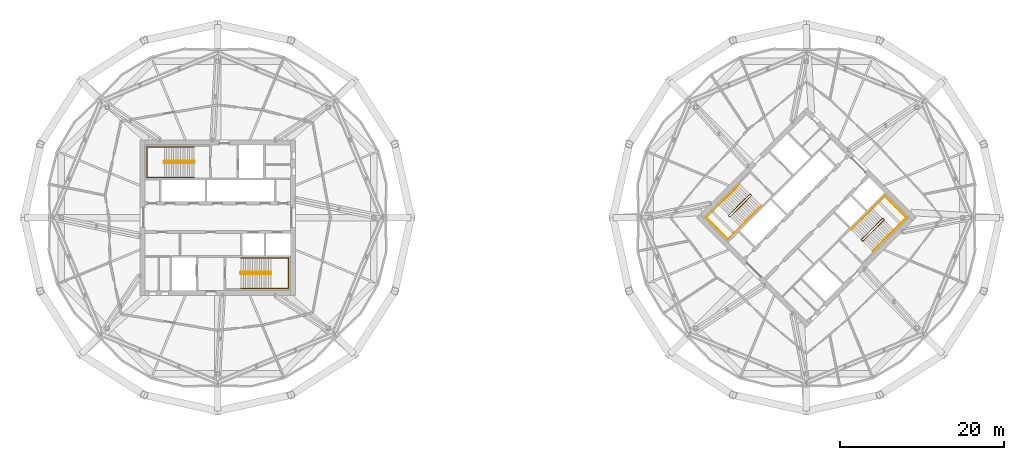
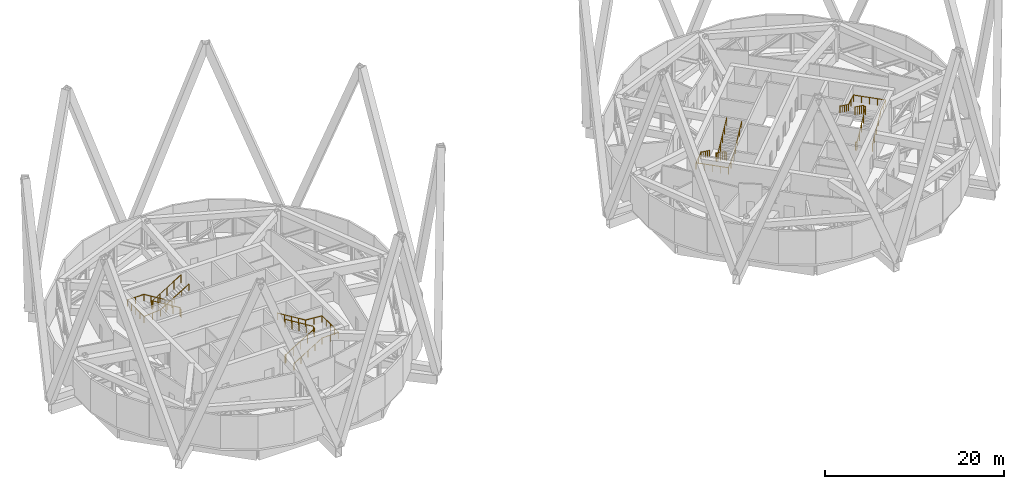
# One storey, part 19 of 19: 8 railings.
"""IFC4 building model written with IfcOpenShell, lengths in metres."""

from ifc_helpers import new_model, si_unit, direction, frame, origin, origin_2d, place, context, subcontext, project, spatial, circle, extrude, material, type_object, element, save


model = new_model("IFC4")

# Units and contexts
model_context = context("Model", 3, precision=1e-05, world=origin(), true_north=direction((0.0, 1.0)))
body_context = subcontext(model_context, "Body", "Model", "MODEL_VIEW")
ifc_project = project(units=[si_unit("LENGTHUNIT", "METRE"), si_unit("AREAUNIT", "SQUARE_METRE"), si_unit("VOLUMEUNIT", "CUBIC_METRE"), si_unit("PLANEANGLEUNIT", "RADIAN"), si_unit("MASSUNIT", "GRAM", prefix="KILO")], contexts=[model_context])

# Site, building, storey
site_placement = place(None, origin())
site = spatial("IfcSite", under=ifc_project, at=site_placement, CompositionType="ELEMENT")
building_placement = place(site_placement, origin())
building = spatial("IfcBuilding", under=site, at=building_placement, Name="Ogive Gate Towers", CompositionType="ELEMENT")
storey_placement = place(building_placement, frame((0.0, 0.0, 216.300048828125)))
storey = spatial("IfcBuildingStorey", under=building, at=storey_placement, Name="L52", CompositionType="ELEMENT", Elevation=216.300048828125)

# Railings
ifc_material = material(Name="Stainless steel", Category="steel")
railing_type_1 = type_object("IfcRailingType", Name="Stair guard 1100", PredefinedType="GUARDRAIL", material=ifc_material)
railing_1_placement = place(storey_placement, frame((-38.81494140625, 6.860107421875, 0.0)))
element("IfcRailing", 1, at=railing_1_placement, inside=storey, type_object=railing_type_1, Name="L52 ST1 stair guard 1", PredefinedType="GUARDRAIL", context=body_context, shape_type="SweptSolid", body=[
    extrude(circle(Radius=0.02392578125, at=origin_2d()), frame((0.0, 0.0, 1.076171875), z_axis=(0.0, -1.0, 0.0), x_axis=(1.0, 0.0, 0.0)), (0.0, 0.0, 1.0), 0.14501953125),
    extrude(circle(Radius=0.02392578125, at=origin_2d()), frame((0.0, -0.14501953125, 1.076171875), z_axis=(-0.189390444499, 0.737236949804, 0.648546790429), x_axis=(-0.968551454522, -0.24881334358, 0.0)), (0.0, 0.0, 1.0), 0.26416015625),
    extrude(circle(Radius=0.02392578125, at=origin_2d()), frame((-0.050048828125, 0.0498046875, 1.24755859375), z_axis=(-0.852850264322, 0.0, 0.5221555579), x_axis=(0.0, -1.0, 0.0)), (0.0, 0.0, 1.0), 4.267822265625),
    extrude(circle(Radius=0.02392578125, at=origin_2d()), frame((-3.68994140625, 0.0498046875, 3.47607421875), z_axis=(-0.708833529934, -0.705375805398, 0.0), x_axis=(0.705375805398, -0.708833529934, 0.0)), (0.0, 0.0, 1.0), 0.070556640625),
    extrude(circle(Radius=0.02392578125, at=origin_2d()), frame((-3.739990234375, 0.0, 3.47607421875), z_axis=(0.0, -1.0, 0.0), x_axis=(1.0, 0.0, 0.0)), (0.0, 0.0, 1.0), 0.14501953125),
    extrude(circle(Radius=0.02392578125, at=origin_2d()), frame((-3.739990234375, -0.14501953125, 3.47607421875), z_axis=(0.269911200495, -0.269911200495, 0.924281281696), x_axis=(0.707106781187, 0.707106781187, 0.0)), (0.0, 0.0, 1.0), 0.185546875),
    extrude(circle(Radius=0.02392578125, at=origin_2d()), frame((-3.68994140625, -0.195068359375, 3.6474609375), z_axis=(0.852824790078, 0.0, 0.522197163366), x_axis=(0.0, 1.0, 0.0)), (0.0, 0.0, 1.0), 4.26806640625),
    extrude(circle(Radius=0.02099609375, at=origin_2d()), origin(), (0.0, 0.0, 1.0), 1.052001953125),
    extrude(circle(Radius=0.02099609375, at=origin_2d()), frame((0.0, -0.14501953125, 0.0)), (0.0, 0.0, 1.0), 1.052001953125),
    extrude(circle(Radius=0.02099609375, at=origin_2d()), frame((-0.050048828125, 0.0498046875, 0.17138671875)), (0.0, 0.0, 1.0), 1.052001953125),
    extrude(circle(Radius=0.02099609375, at=origin_2d()), frame((-0.9599609375, 0.0498046875, 0.728515625)), (0.0, 0.0, 1.0), 1.052001953125),
    extrude(circle(Radius=0.02099609375, at=origin_2d()), frame((-1.8701171875, 0.0498046875, 1.28564453125)), (0.0, 0.0, 1.0), 1.052001953125),
    extrude(circle(Radius=0.02099609375, at=origin_2d()), frame((-2.780029296875, 0.0498046875, 1.8427734375)), (0.0, 0.0, 1.0), 1.052001953125),
    extrude(circle(Radius=0.02099609375, at=origin_2d()), frame((-3.68994140625, 0.0498046875, 2.39990234375)), (0.0, 0.0, 1.0), 1.052001953125),
    extrude(circle(Radius=0.02099609375, at=origin_2d()), frame((-3.739990234375, 0.0, 2.39990234375)), (0.0, 0.0, 1.0), 1.052001953125),
    extrude(circle(Radius=0.02099609375, at=origin_2d()), frame((-3.739990234375, -0.14501953125, 2.39990234375)), (0.0, 0.0, 1.0), 1.052001953125),
    extrude(circle(Radius=0.02099609375, at=origin_2d()), frame((-3.68994140625, -0.195068359375, 2.5712890625)), (0.0, 0.0, 1.0), 1.052001953125),
    extrude(circle(Radius=0.02099609375, at=origin_2d()), frame((-2.780029296875, -0.195068359375, 3.12841796875)), (0.0, 0.0, 1.0), 1.052001953125),
    extrude(circle(Radius=0.02099609375, at=origin_2d()), frame((-1.8701171875, -0.195068359375, 3.685546875)), (0.0, 0.0, 1.0), 1.052001953125),
    extrude(circle(Radius=0.02099609375, at=origin_2d()), frame((-0.9599609375, -0.195068359375, 4.242919921875)), (0.0, 0.0, 1.0), 1.052001953125),
    extrude(circle(Radius=0.02099609375, at=origin_2d()), frame((-0.050048828125, -0.195068359375, 4.800048828125)), (0.0, 0.0, 1.0), 1.052001953125),
])
railing_2_placement = place(storey_placement, frame((-33.18505859375, -6.860107421875, 0.0)))
element("IfcRailing", 2, at=railing_2_placement, inside=storey, type_object=railing_type_1, Name="L52 ST2 stair guard 1", PredefinedType="GUARDRAIL", context=body_context, shape_type="SweptSolid", body=[
    extrude(circle(Radius=0.02392578125, at=origin_2d()), frame((0.0, 0.0, 1.076171875), z_axis=(0.0, 1.0, 0.0), x_axis=(-1.0, 0.0, 0.0)), (0.0, 0.0, 1.0), 0.14501953125),
    extrude(circle(Radius=0.02392578125, at=origin_2d()), frame((0.0, 0.14501953125, 1.076171875), z_axis=(0.189390444499, -0.737236949804, 0.648546790429), x_axis=(0.968551454522, 0.24881334358, 0.0)), (0.0, 0.0, 1.0), 0.26416015625),
    extrude(circle(Radius=0.02392578125, at=origin_2d()), frame((0.050048828125, -0.0498046875, 1.24755859375), z_axis=(0.852850264322, 0.0, 0.5221555579), x_axis=(0.0, 1.0, 0.0)), (0.0, 0.0, 1.0), 4.267822265625),
    extrude(circle(Radius=0.02392578125, at=origin_2d()), frame((3.68994140625, -0.0498046875, 3.47607421875), z_axis=(0.708833529934, 0.705375805398, 0.0), x_axis=(-0.705375805398, 0.708833529934, 0.0)), (0.0, 0.0, 1.0), 0.070556640625),
    extrude(circle(Radius=0.02392578125, at=origin_2d()), frame((3.739990234375, 0.0, 3.47607421875), z_axis=(0.0, 1.0, 0.0), x_axis=(-1.0, 0.0, 0.0)), (0.0, 0.0, 1.0), 0.14501953125),
    extrude(circle(Radius=0.02392578125, at=origin_2d()), frame((3.739990234375, 0.14501953125, 3.47607421875), z_axis=(-0.269911200495, 0.269911200495, 0.924281281696), x_axis=(-0.707106781187, -0.707106781187, 0.0)), (0.0, 0.0, 1.0), 0.185546875),
    extrude(circle(Radius=0.02392578125, at=origin_2d()), frame((3.68994140625, 0.195068359375, 3.6474609375), z_axis=(-0.852824790078, 0.0, 0.522197163366), x_axis=(0.0, -1.0, 0.0)), (0.0, 0.0, 1.0), 4.26806640625),
    extrude(circle(Radius=0.02099609375, at=origin_2d()), origin(), (0.0, 0.0, 1.0), 1.052001953125),
    extrude(circle(Radius=0.02099609375, at=origin_2d()), frame((0.0, 0.14501953125, 0.0)), (0.0, 0.0, 1.0), 1.052001953125),
    extrude(circle(Radius=0.02099609375, at=origin_2d()), frame((0.050048828125, -0.0498046875, 0.17138671875)), (0.0, 0.0, 1.0), 1.052001953125),
    extrude(circle(Radius=0.02099609375, at=origin_2d()), frame((0.9599609375, -0.0498046875, 0.728515625)), (0.0, 0.0, 1.0), 1.052001953125),
    extrude(circle(Radius=0.02099609375, at=origin_2d()), frame((1.8701171875, -0.0498046875, 1.28564453125)), (0.0, 0.0, 1.0), 1.052001953125),
    extrude(circle(Radius=0.02099609375, at=origin_2d()), frame((2.780029296875, -0.0498046875, 1.8427734375)), (0.0, 0.0, 1.0), 1.052001953125),
    extrude(circle(Radius=0.02099609375, at=origin_2d()), frame((3.68994140625, -0.0498046875, 2.39990234375)), (0.0, 0.0, 1.0), 1.052001953125),
    extrude(circle(Radius=0.02099609375, at=origin_2d()), frame((3.739990234375, 0.0, 2.39990234375)), (0.0, 0.0, 1.0), 1.052001953125),
    extrude(circle(Radius=0.02099609375, at=origin_2d()), frame((3.739990234375, 0.14501953125, 2.39990234375)), (0.0, 0.0, 1.0), 1.052001953125),
    extrude(circle(Radius=0.02099609375, at=origin_2d()), frame((3.68994140625, 0.195068359375, 2.5712890625)), (0.0, 0.0, 1.0), 1.052001953125),
    extrude(circle(Radius=0.02099609375, at=origin_2d()), frame((2.780029296875, 0.195068359375, 3.12841796875)), (0.0, 0.0, 1.0), 1.052001953125),
    extrude(circle(Radius=0.02099609375, at=origin_2d()), frame((1.8701171875, 0.195068359375, 3.685546875)), (0.0, 0.0, 1.0), 1.052001953125),
    extrude(circle(Radius=0.02099609375, at=origin_2d()), frame((0.9599609375, 0.195068359375, 4.242919921875)), (0.0, 0.0, 1.0), 1.052001953125),
    extrude(circle(Radius=0.02099609375, at=origin_2d()), frame((0.050048828125, 0.195068359375, 4.800048828125)), (0.0, 0.0, 1.0), 1.052001953125),
])
railing_3_placement = place(storey_placement, frame((29.15869140625, 2.8603515625, 0.0)))
element("IfcRailing", 3, at=railing_3_placement, inside=storey, type_object=railing_type_1, Name="L52 ST1 stair guard 1", PredefinedType="GUARDRAIL", context=body_context, shape_type="SweptSolid", body=[
    extrude(circle(Radius=0.02392578125, at=origin_2d()), frame((0.0, 0.0, 1.076171875), z_axis=(0.707106781187, -0.707106781187, 0.0), x_axis=(0.707106781187, 0.707106781187, 0.0)), (0.0, 0.0, 1.0), 0.14501953125),
    extrude(circle(Radius=0.02392578125, at=origin_2d()), frame((0.1025390625, -0.1025390625, 1.076171875), z_axis=(-0.65494335095, 0.387977725527, 0.648477055524), x_axis=(-0.509669330572, -0.860370369942, 0.0)), (0.0, 0.0, 1.0), 0.264404296875),
    extrude(circle(Radius=0.02392578125, at=origin_2d()), frame((-0.070556640625, 0.0, 1.24755859375), z_axis=(-0.603067823642, -0.603067823642, 0.522128719929), x_axis=(0.707106781187, -0.707106781187, 0.0)), (0.0, 0.0, 1.0), 4.26806640625),
    extrude(circle(Radius=0.02392578125, at=origin_2d()), frame((-2.64453125, -2.573974609375, 3.47607421875), z_axis=(0.0, -1.0, 0.0), x_axis=(1.0, 0.0, 0.0)), (0.0, 0.0, 1.0), 0.07080078125),
    extrude(circle(Radius=0.02392578125, at=origin_2d()), frame((-2.64453125, -2.644775390625, 3.47607421875), z_axis=(0.707106781187, -0.707106781187, 0.0), x_axis=(0.707106781187, 0.707106781187, 0.0)), (0.0, 0.0, 1.0), 0.14501953125),
    extrude(circle(Radius=0.02392578125, at=origin_2d()), frame((-2.5419921875, -2.747314453125, 3.47607421875), z_axis=(0.381809054019, 0.0, 0.924241227315), x_axis=(0.0, 1.0, 0.0)), (0.0, 0.0, 1.0), 0.185546875),
    extrude(circle(Radius=0.02392578125, at=origin_2d()), frame((-2.47119140625, -2.747314453125, 3.6474609375), z_axis=(0.603013412715, 0.60307061376, 0.522188336623), x_axis=(-0.707140316402, 0.707073244381, 0.0)), (0.0, 0.0, 1.0), 4.26806640625),
    extrude(circle(Radius=0.02099609375, at=origin_2d()), origin(), (0.0, 0.0, 1.0), 1.052001953125),
    extrude(circle(Radius=0.02099609375, at=origin_2d()), frame((0.1025390625, -0.1025390625, 0.0)), (0.0, 0.0, 1.0), 1.052001953125),
    extrude(circle(Radius=0.02099609375, at=origin_2d()), frame((-0.070556640625, 0.0, 0.17138671875)), (0.0, 0.0, 1.0), 1.052001953125),
    extrude(circle(Radius=0.02099609375, at=origin_2d()), frame((-0.714111328125, -0.6435546875, 0.728515625)), (0.0, 0.0, 1.0), 1.052001953125),
    extrude(circle(Radius=0.02099609375, at=origin_2d()), frame((-1.357421875, -1.287109375, 1.28564453125)), (0.0, 0.0, 1.0), 1.052001953125),
    extrude(circle(Radius=0.02099609375, at=origin_2d()), frame((-2.0009765625, -1.930419921875, 1.8427734375)), (0.0, 0.0, 1.0), 1.052001953125),
    extrude(circle(Radius=0.02099609375, at=origin_2d()), frame((-2.64453125, -2.573974609375, 2.39990234375)), (0.0, 0.0, 1.0), 1.052001953125),
    extrude(circle(Radius=0.02099609375, at=origin_2d()), frame((-2.64453125, -2.644775390625, 2.39990234375)), (0.0, 0.0, 1.0), 1.052001953125),
    extrude(circle(Radius=0.02099609375, at=origin_2d()), frame((-2.5419921875, -2.747314453125, 2.39990234375)), (0.0, 0.0, 1.0), 1.052001953125),
    extrude(circle(Radius=0.02099609375, at=origin_2d()), frame((-2.47119140625, -2.747314453125, 2.5712890625)), (0.0, 0.0, 1.0), 1.052001953125),
    extrude(circle(Radius=0.02099609375, at=origin_2d()), frame((-1.82763671875, -2.103759765625, 3.12841796875)), (0.0, 0.0, 1.0), 1.052001953125),
    extrude(circle(Radius=0.02099609375, at=origin_2d()), frame((-1.184326171875, -1.46044921875, 3.685546875)), (0.0, 0.0, 1.0), 1.052001953125),
    extrude(circle(Radius=0.02099609375, at=origin_2d()), frame((-0.541015625, -0.81689453125, 4.242919921875)), (0.0, 0.0, 1.0), 1.052001953125),
    extrude(circle(Radius=0.02099609375, at=origin_2d()), frame((0.1025390625, -0.17333984375, 4.800048828125)), (0.0, 0.0, 1.0), 1.052001953125),
])
railing_4_placement = place(storey_placement, frame((42.84130859375, -2.8603515625, 0.0)))
element("IfcRailing", 4, at=railing_4_placement, inside=storey, type_object=railing_type_1, Name="L52 ST2 stair guard 1", PredefinedType="GUARDRAIL", context=body_context, shape_type="SweptSolid", body=[
    extrude(circle(Radius=0.02392578125, at=origin_2d()), frame((0.0, 0.0, 1.076171875), z_axis=(-0.707106781187, 0.707106781187, 0.0), x_axis=(-0.707106781187, -0.707106781187, 0.0)), (0.0, 0.0, 1.0), 0.14501953125),
    extrude(circle(Radius=0.02392578125, at=origin_2d()), frame((-0.1025390625, 0.1025390625, 1.076171875), z_axis=(0.65494335095, -0.387977725527, 0.648477055524), x_axis=(0.509669330572, 0.860370369942, 0.0)), (0.0, 0.0, 1.0), 0.264404296875),
    extrude(circle(Radius=0.02392578125, at=origin_2d()), frame((0.070556640625, 0.0, 1.24755859375), z_axis=(0.603067823642, 0.603067823642, 0.522128719929), x_axis=(-0.707106781187, 0.707106781187, 0.0)), (0.0, 0.0, 1.0), 4.26806640625),
    extrude(circle(Radius=0.02392578125, at=origin_2d()), frame((2.64453125, 2.573974609375, 3.47607421875), z_axis=(0.0, 1.0, 0.0), x_axis=(-1.0, 0.0, 0.0)), (0.0, 0.0, 1.0), 0.07080078125),
    extrude(circle(Radius=0.02392578125, at=origin_2d()), frame((2.64453125, 2.644775390625, 3.47607421875), z_axis=(-0.707106781187, 0.707106781187, 0.0), x_axis=(-0.707106781187, -0.707106781187, 0.0)), (0.0, 0.0, 1.0), 0.14501953125),
    extrude(circle(Radius=0.02392578125, at=origin_2d()), frame((2.5419921875, 2.747314453125, 3.47607421875), z_axis=(-0.381809054019, 0.0, 0.924241227315), x_axis=(0.0, -1.0, 0.0)), (0.0, 0.0, 1.0), 0.185546875),
    extrude(circle(Radius=0.02392578125, at=origin_2d()), frame((2.47119140625, 2.747314453125, 3.6474609375), z_axis=(-0.603013412715, -0.60307061376, 0.522188336623), x_axis=(0.707140316402, -0.707073244381, 0.0)), (0.0, 0.0, 1.0), 4.26806640625),
    extrude(circle(Radius=0.02099609375, at=origin_2d()), origin(), (0.0, 0.0, 1.0), 1.052001953125),
    extrude(circle(Radius=0.02099609375, at=origin_2d()), frame((-0.1025390625, 0.1025390625, 0.0)), (0.0, 0.0, 1.0), 1.052001953125),
    extrude(circle(Radius=0.02099609375, at=origin_2d()), frame((0.070556640625, 0.0, 0.17138671875)), (0.0, 0.0, 1.0), 1.052001953125),
    extrude(circle(Radius=0.02099609375, at=origin_2d()), frame((0.714111328125, 0.6435546875, 0.728515625)), (0.0, 0.0, 1.0), 1.052001953125),
    extrude(circle(Radius=0.02099609375, at=origin_2d()), frame((1.357421875, 1.287109375, 1.28564453125)), (0.0, 0.0, 1.0), 1.052001953125),
    extrude(circle(Radius=0.02099609375, at=origin_2d()), frame((2.0009765625, 1.930419921875, 1.8427734375)), (0.0, 0.0, 1.0), 1.052001953125),
    extrude(circle(Radius=0.02099609375, at=origin_2d()), frame((2.64453125, 2.573974609375, 2.39990234375)), (0.0, 0.0, 1.0), 1.052001953125),
    extrude(circle(Radius=0.02099609375, at=origin_2d()), frame((2.64453125, 2.644775390625, 2.39990234375)), (0.0, 0.0, 1.0), 1.052001953125),
    extrude(circle(Radius=0.02099609375, at=origin_2d()), frame((2.5419921875, 2.747314453125, 2.39990234375)), (0.0, 0.0, 1.0), 1.052001953125),
    extrude(circle(Radius=0.02099609375, at=origin_2d()), frame((2.47119140625, 2.747314453125, 2.5712890625)), (0.0, 0.0, 1.0), 1.052001953125),
    extrude(circle(Radius=0.02099609375, at=origin_2d()), frame((1.82763671875, 2.103759765625, 3.12841796875)), (0.0, 0.0, 1.0), 1.052001953125),
    extrude(circle(Radius=0.02099609375, at=origin_2d()), frame((1.184326171875, 1.46044921875, 3.685546875)), (0.0, 0.0, 1.0), 1.052001953125),
    extrude(circle(Radius=0.02099609375, at=origin_2d()), frame((0.541015625, 0.81689453125, 4.242919921875)), (0.0, 0.0, 1.0), 1.052001953125),
    extrude(circle(Radius=0.02099609375, at=origin_2d()), frame((-0.1025390625, 0.17333984375, 4.800048828125)), (0.0, 0.0, 1.0), 1.052001953125),
])
railing_type_2 = type_object("IfcRailingType", Name="Stair handrail 900", PredefinedType="HANDRAIL", material=ifc_material)
railing_5_placement = place(storey_placement, frame((-38.864990234375, 8.64990234375, 0.17138671875)))
element("IfcRailing", 5, at=railing_5_placement, inside=storey, type_object=railing_type_2, Name="L52 ST1 stair handrail 1", PredefinedType="HANDRAIL", context=body_context, shape_type="SweptSolid", body=[
    extrude(circle(Radius=0.02392578125, at=origin_2d()), frame((0.0, 0.0, 0.8759765625), z_axis=(-0.852850264322, 0.0, 0.5221555579), x_axis=(0.0, -1.0, 0.0)), (0.0, 0.0, 1.0), 4.267822265625),
    extrude(circle(Radius=0.02392578125, at=origin_2d()), frame((-3.639892578125, 0.0, 3.1044921875), z_axis=(-1.0, 0.0, 0.0), x_axis=(0.0, -1.0, 0.0)), (0.0, 0.0, 1.0), 2.14501953125),
    extrude(circle(Radius=0.02392578125, at=origin_2d()), frame((-5.784912109375, 0.0, 3.1044921875), z_axis=(0.0, -1.0, 0.0), x_axis=(1.0, 0.0, 0.0)), (0.0, 0.0, 1.0), 3.724853515625),
    extrude(circle(Radius=0.02392578125, at=origin_2d()), frame((-5.784912109375, -3.724853515625, 3.1044921875), z_axis=(0.996823210099, 0.0, 0.079646015649), x_axis=(0.0, 1.0, 0.0)), (0.0, 0.0, 1.0), 2.15185546875),
    extrude(circle(Radius=0.02392578125, at=origin_2d()), frame((-3.639892578125, -3.724853515625, 3.27587890625), z_axis=(0.852824790078, 0.0, 0.522197163366), x_axis=(0.0, 1.0, 0.0)), (0.0, 0.0, 1.0), 4.26806640625),
    extrude(circle(Radius=0.02099609375, at=origin_2d()), origin(), (0.0, 0.0, 1.0), 0.851806640625),
    extrude(circle(Radius=0.02099609375, at=origin_2d()), frame((-0.909912109375, 0.0, 0.55712890625)), (0.0, 0.0, 1.0), 0.851806640625),
    extrude(circle(Radius=0.02099609375, at=origin_2d()), frame((-1.81982421875, 0.0, 1.1142578125)), (0.0, 0.0, 1.0), 0.851806640625),
    extrude(circle(Radius=0.02099609375, at=origin_2d()), frame((-2.72998046875, 0.0, 1.67138671875)), (0.0, 0.0, 1.0), 0.851806640625),
    extrude(circle(Radius=0.02099609375, at=origin_2d()), frame((-3.639892578125, 0.0, 2.228515625)), (0.0, 0.0, 1.0), 0.851806640625),
    extrude(circle(Radius=0.02099609375, at=origin_2d()), frame((-4.71240234375, 0.0, 2.228515625)), (0.0, 0.0, 1.0), 0.851806640625),
    extrude(circle(Radius=0.02099609375, at=origin_2d()), frame((-5.784912109375, 0.0, 2.228515625)), (0.0, 0.0, 1.0), 0.851806640625),
    extrude(circle(Radius=0.02099609375, at=origin_2d()), frame((-5.784912109375, -0.93115234375, 2.228515625)), (0.0, 0.0, 1.0), 0.851806640625),
    extrude(circle(Radius=0.02099609375, at=origin_2d()), frame((-5.784912109375, -1.8623046875, 2.228515625)), (0.0, 0.0, 1.0), 0.851806640625),
    extrude(circle(Radius=0.02099609375, at=origin_2d()), frame((-5.784912109375, -2.793701171875, 2.228515625)), (0.0, 0.0, 1.0), 0.851806640625),
    extrude(circle(Radius=0.02099609375, at=origin_2d()), frame((-5.784912109375, -3.724853515625, 2.228515625)), (0.0, 0.0, 1.0), 0.851806640625),
    extrude(circle(Radius=0.02099609375, at=origin_2d()), frame((-4.71240234375, -3.724853515625, 2.314208984375)), (0.0, 0.0, 1.0), 0.851806640625),
    extrude(circle(Radius=0.02099609375, at=origin_2d()), frame((-3.639892578125, -3.724853515625, 2.39990234375)), (0.0, 0.0, 1.0), 0.851806640625),
    extrude(circle(Radius=0.02099609375, at=origin_2d()), frame((-2.72998046875, -3.724853515625, 2.95703125)), (0.0, 0.0, 1.0), 0.851806640625),
    extrude(circle(Radius=0.02099609375, at=origin_2d()), frame((-1.81982421875, -3.724853515625, 3.51416015625)), (0.0, 0.0, 1.0), 0.851806640625),
    extrude(circle(Radius=0.02099609375, at=origin_2d()), frame((-0.909912109375, -3.724853515625, 4.071533203125)), (0.0, 0.0, 1.0), 0.851806640625),
    extrude(circle(Radius=0.02099609375, at=origin_2d()), frame((0.0, -3.724853515625, 4.628662109375)), (0.0, 0.0, 1.0), 0.851806640625),
])
railing_6_placement = place(storey_placement, frame((-33.135009765625, -8.64990234375, 0.17138671875)))
element("IfcRailing", 6, at=railing_6_placement, inside=storey, type_object=railing_type_2, Name="L52 ST2 stair handrail 1", PredefinedType="HANDRAIL", context=body_context, shape_type="SweptSolid", body=[
    extrude(circle(Radius=0.02392578125, at=origin_2d()), frame((0.0, 0.0, 0.8759765625), z_axis=(0.852850264322, 0.0, 0.5221555579), x_axis=(0.0, 1.0, 0.0)), (0.0, 0.0, 1.0), 4.267822265625),
    extrude(circle(Radius=0.02392578125, at=origin_2d()), frame((3.639892578125, 0.0, 3.1044921875), z_axis=(1.0, 0.0, 0.0), x_axis=(0.0, 1.0, 0.0)), (0.0, 0.0, 1.0), 2.14501953125),
    extrude(circle(Radius=0.02392578125, at=origin_2d()), frame((5.784912109375, 0.0, 3.1044921875), z_axis=(0.0, 1.0, 0.0), x_axis=(-1.0, 0.0, 0.0)), (0.0, 0.0, 1.0), 3.724853515625),
    extrude(circle(Radius=0.02392578125, at=origin_2d()), frame((5.784912109375, 3.724853515625, 3.1044921875), z_axis=(-0.996823210099, 0.0, 0.079646015649), x_axis=(0.0, -1.0, 0.0)), (0.0, 0.0, 1.0), 2.15185546875),
    extrude(circle(Radius=0.02392578125, at=origin_2d()), frame((3.639892578125, 3.724853515625, 3.27587890625), z_axis=(-0.852824790078, 0.0, 0.522197163366), x_axis=(0.0, -1.0, 0.0)), (0.0, 0.0, 1.0), 4.26806640625),
    extrude(circle(Radius=0.02099609375, at=origin_2d()), origin(), (0.0, 0.0, 1.0), 0.851806640625),
    extrude(circle(Radius=0.02099609375, at=origin_2d()), frame((0.909912109375, 0.0, 0.55712890625)), (0.0, 0.0, 1.0), 0.851806640625),
    extrude(circle(Radius=0.02099609375, at=origin_2d()), frame((1.81982421875, 0.0, 1.1142578125)), (0.0, 0.0, 1.0), 0.851806640625),
    extrude(circle(Radius=0.02099609375, at=origin_2d()), frame((2.72998046875, 0.0, 1.67138671875)), (0.0, 0.0, 1.0), 0.851806640625),
    extrude(circle(Radius=0.02099609375, at=origin_2d()), frame((3.639892578125, 0.0, 2.228515625)), (0.0, 0.0, 1.0), 0.851806640625),
    extrude(circle(Radius=0.02099609375, at=origin_2d()), frame((4.71240234375, 0.0, 2.228515625)), (0.0, 0.0, 1.0), 0.851806640625),
    extrude(circle(Radius=0.02099609375, at=origin_2d()), frame((5.784912109375, 0.0, 2.228515625)), (0.0, 0.0, 1.0), 0.851806640625),
    extrude(circle(Radius=0.02099609375, at=origin_2d()), frame((5.784912109375, 0.93115234375, 2.228515625)), (0.0, 0.0, 1.0), 0.851806640625),
    extrude(circle(Radius=0.02099609375, at=origin_2d()), frame((5.784912109375, 1.8623046875, 2.228515625)), (0.0, 0.0, 1.0), 0.851806640625),
    extrude(circle(Radius=0.02099609375, at=origin_2d()), frame((5.784912109375, 2.793701171875, 2.228515625)), (0.0, 0.0, 1.0), 0.851806640625),
    extrude(circle(Radius=0.02099609375, at=origin_2d()), frame((5.784912109375, 3.724853515625, 2.228515625)), (0.0, 0.0, 1.0), 0.851806640625),
    extrude(circle(Radius=0.02099609375, at=origin_2d()), frame((4.71240234375, 3.724853515625, 2.314208984375)), (0.0, 0.0, 1.0), 0.851806640625),
    extrude(circle(Radius=0.02099609375, at=origin_2d()), frame((3.639892578125, 3.724853515625, 2.39990234375)), (0.0, 0.0, 1.0), 0.851806640625),
    extrude(circle(Radius=0.02099609375, at=origin_2d()), frame((2.72998046875, 3.724853515625, 2.95703125)), (0.0, 0.0, 1.0), 0.851806640625),
    extrude(circle(Radius=0.02099609375, at=origin_2d()), frame((1.81982421875, 3.724853515625, 3.51416015625)), (0.0, 0.0, 1.0), 0.851806640625),
    extrude(circle(Radius=0.02099609375, at=origin_2d()), frame((0.909912109375, 3.724853515625, 4.071533203125)), (0.0, 0.0, 1.0), 0.851806640625),
    extrude(circle(Radius=0.02099609375, at=origin_2d()), frame((0.0, 3.724853515625, 4.628662109375)), (0.0, 0.0, 1.0), 0.851806640625),
])
railing_7_placement = place(storey_placement, frame((27.857666015625, 4.090576171875, 0.17138671875)))
element("IfcRailing", 7, at=railing_7_placement, inside=storey, type_object=railing_type_2, Name="L52 ST1 stair handrail 1", PredefinedType="HANDRAIL", context=body_context, shape_type="SweptSolid", body=[
    extrude(circle(Radius=0.02392578125, at=origin_2d()), frame((0.0, 0.0, 0.8759765625), z_axis=(-0.60308862713, -0.603031424376, 0.522146731333), x_axis=(0.707073244381, -0.707140316402, 0.0)), (0.0, 0.0, 1.0), 4.26806640625),
    extrude(circle(Radius=0.02392578125, at=origin_2d()), frame((-2.573974609375, -2.57373046875, 3.1044921875), z_axis=(-0.707049868894, -0.707163688899, 0.0), x_axis=(0.707163688899, -0.707049868894, 0.0)), (0.0, 0.0, 1.0), 2.14501953125),
    extrude(circle(Radius=0.02392578125, at=origin_2d()), frame((-4.090576171875, -4.090576171875, 3.1044921875), z_axis=(0.707106781187, -0.707106781187, 0.0), x_axis=(0.707106781187, 0.707106781187, 0.0)), (0.0, 0.0, 1.0), 3.72509765625),
    extrude(circle(Radius=0.02392578125, at=origin_2d()), frame((-1.45654296875, -6.724609375, 3.1044921875), z_axis=(0.704803619142, 0.704917077548, 0.079647801133), x_axis=(-0.707163688899, 0.707049868894, 0.0)), (0.0, 0.0, 1.0), 2.15185546875),
    extrude(circle(Radius=0.02392578125, at=origin_2d()), frame((0.06005859375, -5.207763671875, 3.27587890625), z_axis=(0.60307061376, 0.603013412715, 0.522188336623), x_axis=(-0.707073244381, 0.707140316402, 0.0)), (0.0, 0.0, 1.0), 4.26806640625),
    extrude(circle(Radius=0.02099609375, at=origin_2d()), origin(), (0.0, 0.0, 1.0), 0.851806640625),
    extrude(circle(Radius=0.02099609375, at=origin_2d()), frame((-0.6435546875, -0.6435546875, 0.55712890625)), (0.0, 0.0, 1.0), 0.851806640625),
    extrude(circle(Radius=0.02099609375, at=origin_2d()), frame((-1.287109375, -1.286865234375, 1.1142578125)), (0.0, 0.0, 1.0), 0.851806640625),
    extrude(circle(Radius=0.02099609375, at=origin_2d()), frame((-1.930419921875, -1.93017578125, 1.67138671875)), (0.0, 0.0, 1.0), 0.851806640625),
    extrude(circle(Radius=0.02099609375, at=origin_2d()), frame((-2.573974609375, -2.57373046875, 2.228515625)), (0.0, 0.0, 1.0), 0.851806640625),
    extrude(circle(Radius=0.02099609375, at=origin_2d()), frame((-3.332275390625, -3.33203125, 2.228515625)), (0.0, 0.0, 1.0), 0.851806640625),
    extrude(circle(Radius=0.02099609375, at=origin_2d()), frame((-4.090576171875, -4.090576171875, 2.228515625)), (0.0, 0.0, 1.0), 0.851806640625),
    extrude(circle(Radius=0.02099609375, at=origin_2d()), frame((-3.43212890625, -4.7490234375, 2.228515625)), (0.0, 0.0, 1.0), 0.851806640625),
    extrude(circle(Radius=0.02099609375, at=origin_2d()), frame((-2.7734375, -5.40771484375, 2.228515625)), (0.0, 0.0, 1.0), 0.851806640625),
    extrude(circle(Radius=0.02099609375, at=origin_2d()), frame((-2.114990234375, -6.066162109375, 2.228515625)), (0.0, 0.0, 1.0), 0.851806640625),
    extrude(circle(Radius=0.02099609375, at=origin_2d()), frame((-1.45654296875, -6.724609375, 2.228515625)), (0.0, 0.0, 1.0), 0.851806640625),
    extrude(circle(Radius=0.02099609375, at=origin_2d()), frame((-0.6982421875, -5.96630859375, 2.314208984375)), (0.0, 0.0, 1.0), 0.851806640625),
    extrude(circle(Radius=0.02099609375, at=origin_2d()), frame((0.06005859375, -5.207763671875, 2.39990234375)), (0.0, 0.0, 1.0), 0.851806640625),
    extrude(circle(Radius=0.02099609375, at=origin_2d()), frame((0.70361328125, -4.564453125, 2.95703125)), (0.0, 0.0, 1.0), 0.851806640625),
    extrude(circle(Radius=0.02099609375, at=origin_2d()), frame((1.34716796875, -3.9208984375, 3.51416015625)), (0.0, 0.0, 1.0), 0.851806640625),
    extrude(circle(Radius=0.02099609375, at=origin_2d()), frame((1.990478515625, -3.27734375, 4.071533203125)), (0.0, 0.0, 1.0), 0.851806640625),
    extrude(circle(Radius=0.02099609375, at=origin_2d()), frame((2.634033203125, -2.634033203125, 4.628662109375)), (0.0, 0.0, 1.0), 0.851806640625),
])
railing_8_placement = place(storey_placement, frame((44.142333984375, -4.090576171875, 0.17138671875)))
element("IfcRailing", 8, at=railing_8_placement, inside=storey, type_object=railing_type_2, Name="L52 ST2 stair handrail 1", PredefinedType="HANDRAIL", context=body_context, shape_type="SweptSolid", body=[
    extrude(circle(Radius=0.02392578125, at=origin_2d()), frame((0.0, 0.0, 0.8759765625), z_axis=(0.60308862713, 0.603031424376, 0.522146731333), x_axis=(-0.707073244381, 0.707140316402, 0.0)), (0.0, 0.0, 1.0), 4.26806640625),
    extrude(circle(Radius=0.02392578125, at=origin_2d()), frame((2.573974609375, 2.57373046875, 3.1044921875), z_axis=(0.707049868894, 0.707163688899, 0.0), x_axis=(-0.707163688899, 0.707049868894, 0.0)), (0.0, 0.0, 1.0), 2.14501953125),
    extrude(circle(Radius=0.02392578125, at=origin_2d()), frame((4.090576171875, 4.090576171875, 3.1044921875), z_axis=(-0.707106781187, 0.707106781187, 0.0), x_axis=(-0.707106781187, -0.707106781187, 0.0)), (0.0, 0.0, 1.0), 3.72509765625),
    extrude(circle(Radius=0.02392578125, at=origin_2d()), frame((1.45654296875, 6.724609375, 3.1044921875), z_axis=(-0.704803619142, -0.704917077548, 0.079647801133), x_axis=(0.707163688899, -0.707049868894, 0.0)), (0.0, 0.0, 1.0), 2.15185546875),
    extrude(circle(Radius=0.02392578125, at=origin_2d()), frame((-0.06005859375, 5.207763671875, 3.27587890625), z_axis=(-0.60307061376, -0.603013412715, 0.522188336623), x_axis=(0.707073244381, -0.707140316402, 0.0)), (0.0, 0.0, 1.0), 4.26806640625),
    extrude(circle(Radius=0.02099609375, at=origin_2d()), origin(), (0.0, 0.0, 1.0), 0.851806640625),
    extrude(circle(Radius=0.02099609375, at=origin_2d()), frame((0.6435546875, 0.6435546875, 0.55712890625)), (0.0, 0.0, 1.0), 0.851806640625),
    extrude(circle(Radius=0.02099609375, at=origin_2d()), frame((1.287109375, 1.286865234375, 1.1142578125)), (0.0, 0.0, 1.0), 0.851806640625),
    extrude(circle(Radius=0.02099609375, at=origin_2d()), frame((1.930419921875, 1.93017578125, 1.67138671875)), (0.0, 0.0, 1.0), 0.851806640625),
    extrude(circle(Radius=0.02099609375, at=origin_2d()), frame((2.573974609375, 2.57373046875, 2.228515625)), (0.0, 0.0, 1.0), 0.851806640625),
    extrude(circle(Radius=0.02099609375, at=origin_2d()), frame((3.332275390625, 3.33203125, 2.228515625)), (0.0, 0.0, 1.0), 0.851806640625),
    extrude(circle(Radius=0.02099609375, at=origin_2d()), frame((4.090576171875, 4.090576171875, 2.228515625)), (0.0, 0.0, 1.0), 0.851806640625),
    extrude(circle(Radius=0.02099609375, at=origin_2d()), frame((3.43212890625, 4.7490234375, 2.228515625)), (0.0, 0.0, 1.0), 0.851806640625),
    extrude(circle(Radius=0.02099609375, at=origin_2d()), frame((2.7734375, 5.40771484375, 2.228515625)), (0.0, 0.0, 1.0), 0.851806640625),
    extrude(circle(Radius=0.02099609375, at=origin_2d()), frame((2.114990234375, 6.066162109375, 2.228515625)), (0.0, 0.0, 1.0), 0.851806640625),
    extrude(circle(Radius=0.02099609375, at=origin_2d()), frame((1.45654296875, 6.724609375, 2.228515625)), (0.0, 0.0, 1.0), 0.851806640625),
    extrude(circle(Radius=0.02099609375, at=origin_2d()), frame((0.6982421875, 5.96630859375, 2.314208984375)), (0.0, 0.0, 1.0), 0.851806640625),
    extrude(circle(Radius=0.02099609375, at=origin_2d()), frame((-0.06005859375, 5.207763671875, 2.39990234375)), (0.0, 0.0, 1.0), 0.851806640625),
    extrude(circle(Radius=0.02099609375, at=origin_2d()), frame((-0.70361328125, 4.564453125, 2.95703125)), (0.0, 0.0, 1.0), 0.851806640625),
    extrude(circle(Radius=0.02099609375, at=origin_2d()), frame((-1.34716796875, 3.9208984375, 3.51416015625)), (0.0, 0.0, 1.0), 0.851806640625),
    extrude(circle(Radius=0.02099609375, at=origin_2d()), frame((-1.990478515625, 3.27734375, 4.071533203125)), (0.0, 0.0, 1.0), 0.851806640625),
    extrude(circle(Radius=0.02099609375, at=origin_2d()), frame((-2.634033203125, 2.634033203125, 4.628662109375)), (0.0, 0.0, 1.0), 0.851806640625),
])

save(model, "model.ifc")
